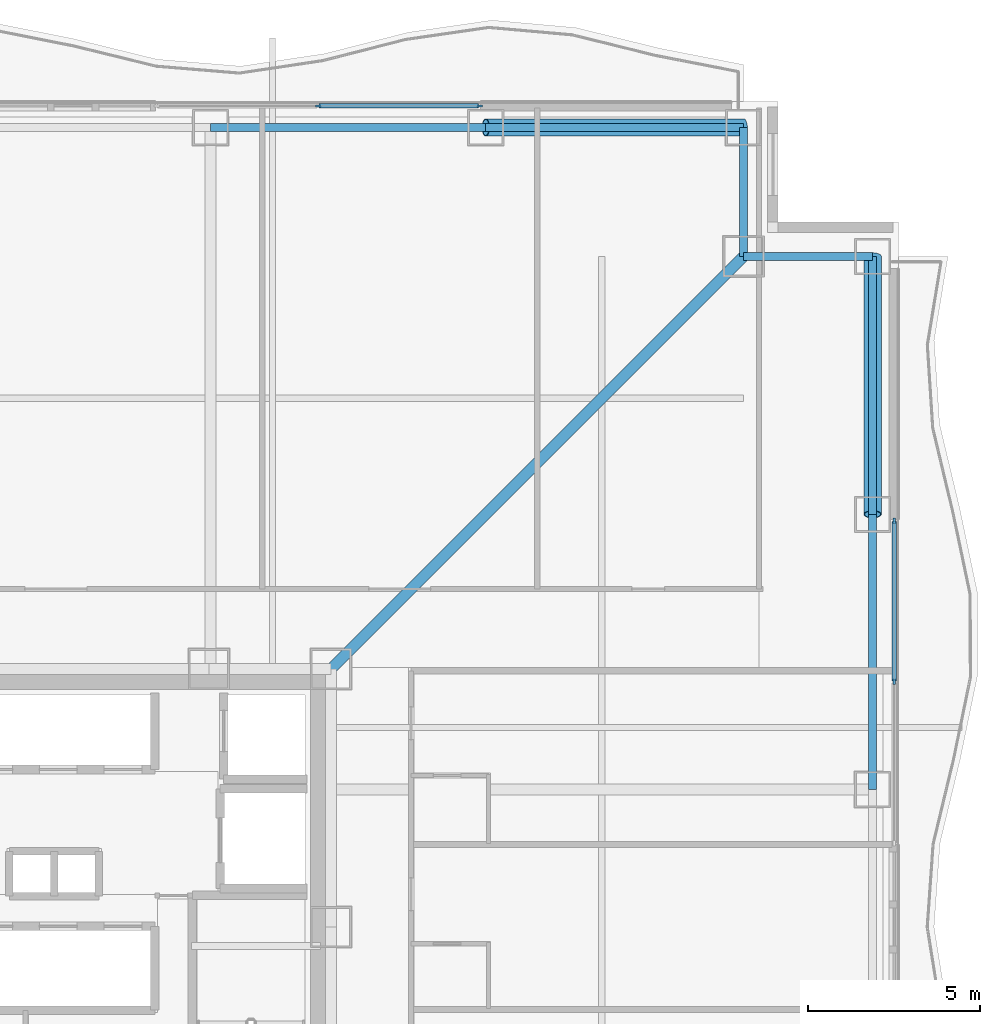
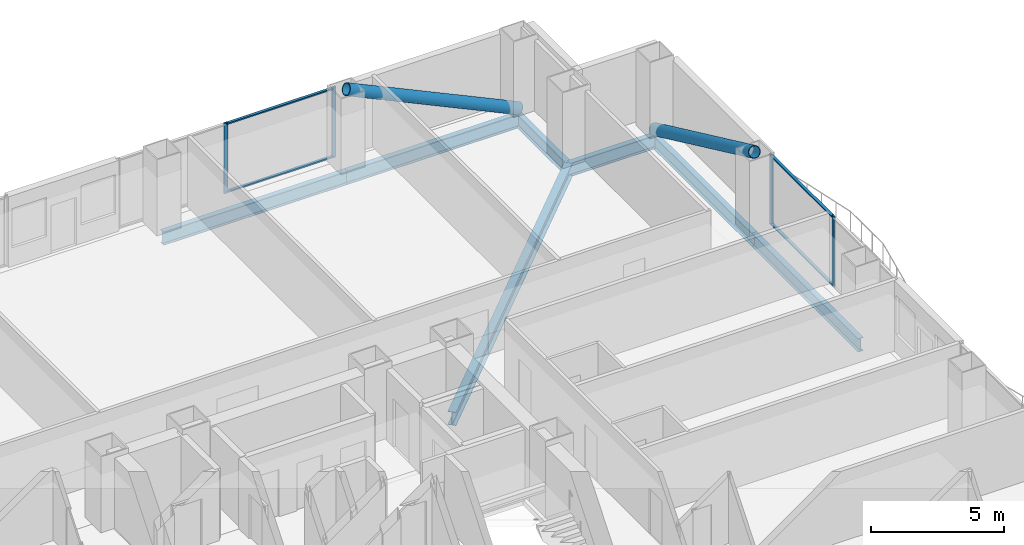
# One storey, part 12 of 24: 10 members, 7 beams, 2 elements without a shape of their own.
"""IFC4 building model written with IfcOpenShell, lengths in metres."""

from ifc_helpers import new_model, si_unit, direction, frame, origin, origin_2d, place, context, subcontext, project, spatial, rectangle, hollow_circle, i_section, extrude, material, layer, layer_set, material_profile, profile_set, type_object, element, aggregate, save


model = new_model("IFC4")

# Units and contexts
model_context = context("Model", 3, precision=1e-05, world=origin(), true_north=direction((0.0, 1.0)))
body_context = subcontext(model_context, "Body", "Model", "MODEL_VIEW")
ifc_project = project(units=[si_unit("LENGTHUNIT", "METRE"), si_unit("AREAUNIT", "SQUARE_METRE"), si_unit("VOLUMEUNIT", "CUBIC_METRE"), si_unit("PLANEANGLEUNIT", "RADIAN"), si_unit("MASSUNIT", "GRAM", prefix="KILO")], contexts=[model_context])

# Site, building, storey
site_placement = place(None, origin())
site = spatial("IfcSite", under=ifc_project, at=site_placement, CompositionType="ELEMENT")
building_placement = place(site_placement, origin())
building = spatial("IfcBuilding", under=site, at=building_placement, Name="Trevonay Congress Spire", CompositionType="ELEMENT")
storey_placement = place(building_placement, frame((0.0, 0.0, 55.0)))
storey = spatial("IfcBuildingStorey", under=building, at=storey_placement, Name="L13", CompositionType="ELEMENT", Elevation=55.0)

# Beams
ifc_material_1 = material(Name="Steel ASTM A572 Grade 50", Category="steel")
ifc_material_profile_1 = material_profile(ifc_material_1, i_section(OverallWidth=0.324951171875, OverallDepth=0.615966796875, WebThickness=0.013916015625, FlangeThickness=0.021484375, FilletRadius=0.01806640625, at=origin_2d()), Name="W610x174")
ifc_profile_set_1 = profile_set([ifc_material_profile_1], Name="Steel ASTM A572 Grade 50")
beam_type_1 = type_object("IfcBeamType", Name="BM-GIRD-W610X174", PredefinedType="BEAM", material=ifc_profile_set_1)
beam_placement = place(storey_placement, frame((7.5, 7.5, -0.55810546875), z_axis=(0.707106781187, 0.707106781187, 0.0), x_axis=(-0.707106781187, 0.707106781187, 0.0)))
element("IfcBeam", 1, at=beam_placement, inside=storey, type_object=beam_type_1, Name="L13 structural beam BM-L13-CDNE", PredefinedType="BEAM", context=body_context, shape_type="SweptSolid", body=[
    extrude(i_section(OverallWidth=0.324951171875, OverallDepth=0.615966796875, WebThickness=0.013916015625, FlangeThickness=0.021484375, FilletRadius=0.01806640625, at=origin_2d()), origin(), (0.0, 0.0, 1.0), 16.970458984375),
])
ifc_material_profile_2 = material_profile(ifc_material_1, i_section(OverallWidth=0.22998046875, OverallDepth=0.616943359375, WebThickness=0.01318359375, FlangeThickness=0.022216796875, FilletRadius=0.01611328125, at=origin_2d()), Name="W610x140")
ifc_profile_set_2 = profile_set([ifc_material_profile_2], Name="Steel ASTM A572 Grade 50")
beam_type_2 = type_object("IfcBeamType", Name="BM-RING-W610X140", PredefinedType="BEAM", material=ifc_profile_set_2)
for number, where, z_axis, x_axis, name in (
    (2, (4.0, 23.25, -0.55859375), (1.0, 0.0, 0.0), (0.0, 1.0, 0.0), "L13 structural beam BM-L13-PN4"),
    (3, (23.25, 4.0, -0.55859375), (0.0, 1.0, 0.0), (-1.0, 0.0, 0.0), "L13 structural beam BM-L13-PE4"),
):
    element("IfcBeam", number, at=place(storey_placement, frame(where, z_axis=z_axis, x_axis=x_axis)), inside=storey, type_object=beam_type_2, Name=name, PredefinedType="BEAM", context=body_context, shape_type="SweptSolid", body=[
        extrude(i_section(OverallWidth=0.22998046875, OverallDepth=0.616943359375, WebThickness=0.01318359375, FlangeThickness=0.022216796875, FilletRadius=0.01611328125, at=origin_2d()), origin(), (0.0, 0.0, 1.0), 8.0),
    ])
for number, where, z_axis, x_axis, name in (
    (4, (12.0, 23.25, -0.55859375), (1.0, 0.0, 0.0), (0.0, 1.0, 0.0), "L13 structural beam BM-L13-PN5"),
    (5, (23.25, 12.0, -0.55859375), (0.0, 1.0, 0.0), (-1.0, 0.0, 0.0), "L13 structural beam BM-L13-PE5"),
):
    element("IfcBeam", number, at=place(storey_placement, frame(where, z_axis=z_axis, x_axis=x_axis)), inside=storey, type_object=beam_type_2, Name=name, PredefinedType="BEAM", context=body_context, shape_type="SweptSolid", body=[
        extrude(i_section(OverallWidth=0.22998046875, OverallDepth=0.616943359375, WebThickness=0.01318359375, FlangeThickness=0.022216796875, FilletRadius=0.01611328125, at=origin_2d()), origin(), (0.0, 0.0, 1.0), 7.5),
    ])
for number, where, z_axis, x_axis, name in (
    (6, (19.5, 23.25, -0.55859375), (0.0, -1.0, 0.0), (1.0, 0.0, 0.0), "L13 structural beam BM-L13-N1NE"),
    (7, (23.25, 19.5, -0.55859375), (-1.0, 0.0, 0.0), (0.0, -1.0, 0.0), "L13 structural beam BM-L13-N2NE"),
):
    element("IfcBeam", number, at=place(storey_placement, frame(where, z_axis=z_axis, x_axis=x_axis)), inside=storey, type_object=beam_type_2, Name=name, PredefinedType="BEAM", context=body_context, shape_type="SweptSolid", body=[
        extrude(i_section(OverallWidth=0.22998046875, OverallDepth=0.616943359375, WebThickness=0.01318359375, FlangeThickness=0.022216796875, FilletRadius=0.01611328125, at=origin_2d()), origin(), (0.0, 0.0, 1.0), 3.75),
    ])

# Curtain wall, members
ifc_material_2 = material(Name="Pale Anodised Aluminium EN AW-6063-T6", Category="aluminium")
ifc_layer = layer(ifc_material_2, 0.179931640625, Name="Pale Anodised Aluminium EN AW-6063-T6")
ifc_layer_set = layer_set([ifc_layer], Name="Pale Anodised Aluminium EN AW-6063-T6")
curtain_wall_type = type_object("IfcCurtainWallType", Name="CW-SYS02-HOTEL-PALE-METAL", PredefinedType="NOTDEFINED", material=ifc_layer_set)
curtain_wall_1_placement = place(storey_placement, origin())
curtain_wall_1 = element("IfcCurtainWall", 8, at=curtain_wall_1_placement, inside=storey, type_object=curtain_wall_type, Name="L13 NB unitised curtain wall", PredefinedType="NOTDEFINED")
ifc_material_profile_3 = material_profile(ifc_material_2, rectangle(XDim=0.06005859375, YDim=0.159912109375, at=origin_2d()), Name="CW-MULLION-160-ALUMINIUM")
ifc_profile_set_3 = profile_set([ifc_material_profile_3], Name="Pale Anodised Aluminium EN AW-6063-T6")
member_type_1 = type_object("IfcMemberType", Name="CW-MULLION-160-ALUMINIUM", PredefinedType="MULLION", material=ifc_profile_set_3)
member_1_placement = place(storey_placement, frame((7.125, 23.8798828125, 0.0), z_axis=(0.0, 0.0, 1.0), x_axis=(0.0, 1.0, 0.0)))
member_1 = element("IfcMember", 9, at=member_1_placement, type_object=member_type_1, Name="CW02 mullion 2", PredefinedType="MULLION", context=body_context, shape_type="SweptSolid", body=[
    extrude(rectangle(XDim=0.06005859375, YDim=0.159912109375, at=origin_2d()), origin(), (0.0, 0.0, 1.0), 3.25),
])
member_2_placement = place(storey_placement, frame((11.820068359375, 23.8798828125, 0.0), z_axis=(0.0, 0.0, 1.0), x_axis=(0.0, 1.0, 0.0)))
member_2 = element("IfcMember", 10, at=member_2_placement, type_object=member_type_1, Name="CW02 mullion 3", PredefinedType="MULLION", context=body_context, shape_type="SweptSolid", body=[
    extrude(rectangle(XDim=0.06005859375, YDim=0.159912109375, at=origin_2d()), origin(), (0.0, 0.0, 1.0), 3.25),
])

curtain_wall_2_placement = place(storey_placement, origin())
curtain_wall_2 = element("IfcCurtainWall", 11, at=curtain_wall_2_placement, inside=storey, type_object=curtain_wall_type, Name="L13 EB unitised curtain wall", PredefinedType="NOTDEFINED")
member_3_placement = place(storey_placement, frame((23.8798828125, 7.125, 0.0), z_axis=(0.0, 0.0, 1.0), x_axis=(-1.0, 0.0, 0.0)))
member_3 = element("IfcMember", 12, at=member_3_placement, type_object=member_type_1, Name="CW02 mullion 2", PredefinedType="MULLION", context=body_context, shape_type="SweptSolid", body=[
    extrude(rectangle(XDim=0.06005859375, YDim=0.159912109375, at=origin_2d()), origin(), (0.0, 0.0, 1.0), 3.25),
])
member_4_placement = place(storey_placement, frame((23.8798828125, 11.820068359375, 0.0), z_axis=(0.0, 0.0, 1.0), x_axis=(-1.0, 0.0, 0.0)))
member_4 = element("IfcMember", 13, at=member_4_placement, type_object=member_type_1, Name="CW02 mullion 3", PredefinedType="MULLION", context=body_context, shape_type="SweptSolid", body=[
    extrude(rectangle(XDim=0.06005859375, YDim=0.159912109375, at=origin_2d()), origin(), (0.0, 0.0, 1.0), 3.25),
])

# Member
ifc_material_profile_4 = material_profile(ifc_material_2, rectangle(XDim=0.1201171875, YDim=0.06005859375, at=origin_2d()), Name="CW-TRANSOM-120-ALUMINIUM")
ifc_profile_set_4 = profile_set([ifc_material_profile_4], Name="Pale Anodised Aluminium EN AW-6063-T6")
member_type_2 = type_object("IfcMemberType", Name="CW-TRANSOM-120-ALUMINIUM", PredefinedType="USERDEFINED", material=ifc_profile_set_4)
member_5_placement = place(storey_placement, frame((7.155029296875, 23.8798828125, 0.06005859375), z_axis=(1.0, 0.0, 0.0), x_axis=(0.0, 1.0, 0.0)))
member_5 = element("IfcMember", 14, at=member_5_placement, type_object=member_type_2, Name="CW02 transom 2.1", ObjectType="TRANSOM", PredefinedType="USERDEFINED", context=body_context, shape_type="SweptSolid", body=[
    extrude(rectangle(XDim=0.1201171875, YDim=0.06005859375, at=origin_2d()), origin(), (0.0, 0.0, 1.0), 4.635009765625),
])

member_6_placement = place(storey_placement, frame((7.155029296875, 23.8798828125, 3.18994140625), z_axis=(1.0, 0.0, 0.0), x_axis=(0.0, 1.0, 0.0)))
member_6 = element("IfcMember", 15, at=member_6_placement, type_object=member_type_2, Name="CW02 transom 2.2", ObjectType="TRANSOM", PredefinedType="USERDEFINED", context=body_context, shape_type="SweptSolid", body=[
    extrude(rectangle(XDim=0.1201171875, YDim=0.06005859375, at=origin_2d()), origin(), (0.0, 0.0, 1.0), 4.635009765625),
])

aggregate(curtain_wall_1, [member_1, member_2, member_5, member_6])

member_7_placement = place(storey_placement, frame((23.8798828125, 7.155029296875, 0.06005859375), z_axis=(0.0, 1.0, 0.0), x_axis=(-1.0, 0.0, 0.0)))
member_7 = element("IfcMember", 16, at=member_7_placement, type_object=member_type_2, Name="CW02 transom 2.1", ObjectType="TRANSOM", PredefinedType="USERDEFINED", context=body_context, shape_type="SweptSolid", body=[
    extrude(rectangle(XDim=0.1201171875, YDim=0.06005859375, at=origin_2d()), origin(), (0.0, 0.0, 1.0), 4.635009765625),
])

member_8_placement = place(storey_placement, frame((23.8798828125, 7.155029296875, 3.18994140625), z_axis=(0.0, 1.0, 0.0), x_axis=(-1.0, 0.0, 0.0)))
member_8 = element("IfcMember", 17, at=member_8_placement, type_object=member_type_2, Name="CW02 transom 2.2", ObjectType="TRANSOM", PredefinedType="USERDEFINED", context=body_context, shape_type="SweptSolid", body=[
    extrude(rectangle(XDim=0.1201171875, YDim=0.06005859375, at=origin_2d()), origin(), (0.0, 0.0, 1.0), 4.635009765625),
])

aggregate(curtain_wall_2, [member_3, member_4, member_7, member_8])

# Members
ifc_material_profile_5 = material_profile(ifc_material_1, hollow_circle(Radius=0.25390625, WallThickness=0.02490234375, at=origin_2d()), Name="CHS 508x25")
ifc_profile_set_5 = profile_set([ifc_material_profile_5], Name="Steel ASTM A572 Grade 50")
member_type_3 = type_object("IfcMemberType", Name="MBR-TUBE-CHS508", PredefinedType="BRACE", material=ifc_profile_set_5)
for number, where, z_axis, x_axis, name in (
    (18, (19.5, 23.25, -0.050048828125), (-0.906183139995, 0.0, 0.422885465331), (0.0, -1.0, 0.0), "L13 perimeter braced-tube diagonal N4"),
    (19, (23.25, 19.5, -0.050048828125), (0.0, -0.906183139995, 0.422885465331), (1.0, 0.0, 0.0), "L13 perimeter braced-tube diagonal E4"),
):
    element("IfcMember", number, at=place(storey_placement, frame(where, z_axis=z_axis, x_axis=x_axis)), inside=storey, type_object=member_type_3, Name=name, PredefinedType="BRACE", context=body_context, shape_type="SweptSolid", body=[
        extrude(hollow_circle(Radius=0.25390625, WallThickness=0.02490234375, at=origin_2d()), origin(), (0.0, 0.0, 1.0), 8.2763671875),
    ])

save(model, "model.ifc")
